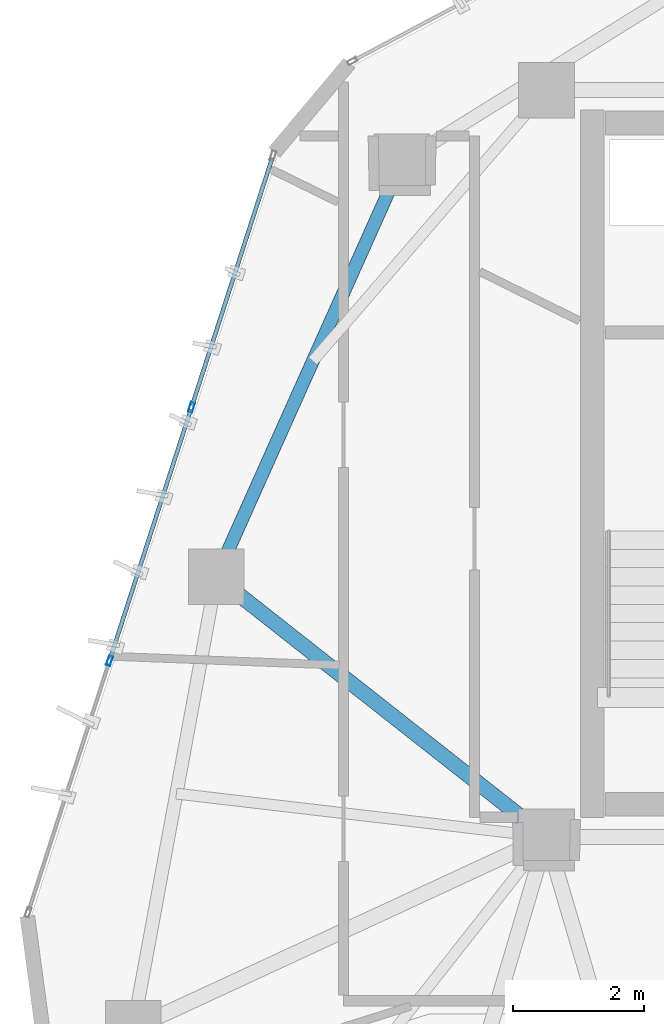
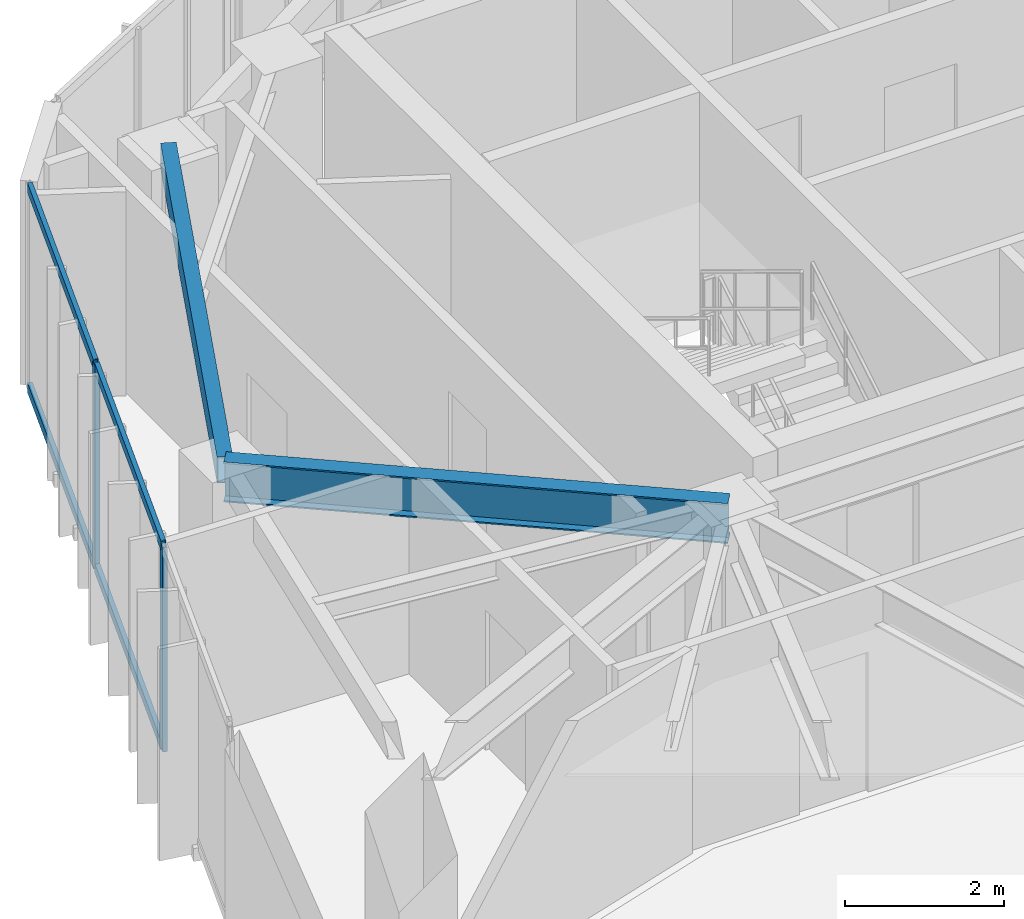
# One storey, part 8 of 20: 6 members, 2 beams, 1 element without a shape of its own.
"""IFC4 building model written with IfcOpenShell, lengths in metres."""

from ifc_helpers import new_model, si_unit, direction, frame, origin, origin_2d, place, context, subcontext, project, spatial, hollow_rectangle, i_section, extrude, source, transform, mapped, material, layer, layer_set, material_profile, profile_set, type_object, type_shapes, element, aggregate, save


model = new_model("IFC4")

# Units and contexts
model_context = context("Model", 3, precision=1e-05, world=origin(), true_north=direction((0.0, 1.0)))
body_context = subcontext(model_context, "Body", "Model", "MODEL_VIEW")
ifc_project = project(units=[si_unit("LENGTHUNIT", "METRE"), si_unit("AREAUNIT", "SQUARE_METRE"), si_unit("VOLUMEUNIT", "CUBIC_METRE"), si_unit("PLANEANGLEUNIT", "RADIAN"), si_unit("MASSUNIT", "GRAM", prefix="KILO")], contexts=[model_context])

# Site, building, storey
site_placement = place(None, origin())
site = spatial("IfcSite", under=ifc_project, at=site_placement, CompositionType="ELEMENT")
building_placement = place(site_placement, origin())
building = spatial("IfcBuilding", under=site, at=building_placement, Name="Talar Marvaseh", CompositionType="ELEMENT")
storey_placement = place(building_placement, frame((0.0, 0.0, 261.199951171875)))
storey = spatial("IfcBuildingStorey", under=building, at=storey_placement, Name="L69", CompositionType="ELEMENT", Elevation=261.199951171875)

# Beams
ifc_material_1 = material(Name="Steel S355", Category="steel")
ifc_material_profile_1 = material_profile(ifc_material_1, hollow_rectangle(XDim=0.199951171875, YDim=0.39990234375, WallThickness=0.013916015625, at=origin_2d()), Name="RHS400x200x14")
ifc_profile_set_1 = profile_set([ifc_material_profile_1], Name="Steel S355")
beam_type_1 = type_object("IfcBeamType", Name="Zone 3 Perimeter Spandrel Beam RHS400x200x14", PredefinedType="SPANDREL", material=ifc_profile_set_1)
beam_1_placement = place(storey_placement, frame((13.657958984375, 29.469970703125, 2.93994140625), z_axis=(0.408486346803, 0.912764429892, 0.0), x_axis=(-0.912764429892, 0.408486346803, 0.0)))
element("IfcBeam", 1, at=beam_1_placement, inside=storey, type_object=beam_type_1, Name="L69 Zone 3 Perimeter Spandrel Beam RHS400x200x14", PredefinedType="SPANDREL", context=body_context, shape_type="SweptSolid", body=[
    extrude(hollow_rectangle(XDim=0.199951171875, YDim=0.39990234375, WallThickness=0.013916015625, at=origin_2d()), origin(), (0.0, 0.0, 1.0), 6.942626953125),
])
ifc_material_profile_2 = material_profile(ifc_material_1, i_section(OverallWidth=0.22998046875, OverallDepth=0.616943359375, WebThickness=0.01318359375, FlangeThickness=0.022216796875, at=origin_2d()), Name="W610x140")
ifc_profile_set_2 = profile_set([ifc_material_profile_2], Name="Steel S355")
beam_type_2 = type_object("IfcBeamType", Name="Zone 4 Radial Floor Girder W610x140", PredefinedType="BEAM", material=ifc_profile_set_2)
beam_2_placement = place(storey_placement, frame((13.657958984375, 29.469970703125, 2.83154296875), z_axis=(0.785681617372, -0.618631066245, 0.0), x_axis=(0.618631066245, 0.785681617372, 0.0)))
element("IfcBeam", 2, at=beam_2_placement, inside=storey, type_object=beam_type_2, Name="L69 Zone 4 Radial Floor Girder W610x140", PredefinedType="BEAM", context=body_context, shape_type="SweptSolid", body=[
    extrude(i_section(OverallWidth=0.22998046875, OverallDepth=0.616943359375, WebThickness=0.01318359375, FlangeThickness=0.022216796875, at=origin_2d()), origin(), (0.0, 0.0, 1.0), 6.417236328125),
])

# Curtain wall, members
ifc_material_2 = material(Name="Architectural Aluminium", Category="aluminium")
ifc_layer = layer(ifc_material_2, 0.179931640625)
ifc_layer_set = layer_set([ifc_layer], Name="Architectural Aluminium")
curtain_wall_type = type_object("IfcCurtainWallType", Name="Unitised High-Wind Sky Curtain Wall Z4", PredefinedType="NOTDEFINED", material=ifc_layer_set)
curtain_wall_placement = place(storey_placement, origin())
curtain_wall = element("IfcCurtainWall", 3, at=curtain_wall_placement, inside=storey, type_object=curtain_wall_type, Name="L69 Unitised High-Wind Sky Curtain Wall Z4", PredefinedType="NOTDEFINED")
ifc_material_profile_3 = material_profile(ifc_material_2, hollow_rectangle(XDim=0.06494140625, YDim=0.14990234375, WallThickness=0.00390625, at=origin_2d()), Name="RHS150x65x4")
ifc_profile_set_3 = profile_set([ifc_material_profile_3], Name="Architectural Aluminium")
member_type_1 = type_object("IfcMemberType", Name="Unitised Curtain Wall Slim Transom RHS150x65x4", PredefinedType="USERDEFINED", material=ifc_profile_set_3)
shared_shape_1 = source(origin(), body_context, "Body", "SweptSolid", [
    extrude(hollow_rectangle(XDim=0.06494140625, YDim=0.14990234375, WallThickness=0.00390625, at=origin_2d()), origin(), (0.0, 0.0, 1.0), 3.97119140625),
])
member_1_placement = place(storey_placement, frame((13.291015625, 32.08984375, 0.032470703125), z_axis=(0.307879210771, 0.951425452453, 0.0), x_axis=(-0.951425452453, 0.307879210771, 0.0)))
member_1 = element("IfcMember", 4, at=member_1_placement, type_object=member_type_1, Name="CW-Z4 transom 3.1", ObjectType="TRANSOM", PredefinedType="USERDEFINED", context=body_context, shape_type="MappedRepresentation", body=[
    mapped(shared_shape_1, transform((0.0, 0.0, 0.0), x_axis=(1.0, 0.0, 0.0), y_axis=(0.0, 1.0, 0.0), z_axis=(0.0, 0.0, 1.0), scale=1.0)),
])
member_2_placement = place(storey_placement, frame((13.291015625, 32.08984375, 3.107666015625), z_axis=(0.307879210771, 0.951425452453, 0.0), x_axis=(-0.951425452453, 0.307879210771, 0.0)))
member_2 = element("IfcMember", 5, at=member_2_placement, type_object=member_type_1, Name="CW-Z4 transom 3.2", ObjectType="TRANSOM", PredefinedType="USERDEFINED", context=body_context, shape_type="MappedRepresentation", body=[
    mapped(shared_shape_1, transform((0.0, 0.0, 0.0), x_axis=(1.0, 0.0, 0.0), y_axis=(0.0, 1.0, 0.0), z_axis=(0.0, 0.0, 1.0), scale=1.0)),
])
shared_shape_2 = source(origin(), body_context, "Body", "SweptSolid", [
    extrude(hollow_rectangle(XDim=0.06494140625, YDim=0.14990234375, WallThickness=0.00390625, at=origin_2d()), origin(), (0.0, 0.0, 1.0), 4.003662109375),
])
type_shapes(member_type_1, [shared_shape_1, shared_shape_2])
member_3_placement = place(storey_placement, frame((12.0380859375, 28.21875, 0.032470703125), z_axis=(0.307946921583, 0.951403538719, 0.0), x_axis=(-0.951403538719, 0.307946921583, 0.0)))
member_3 = element("IfcMember", 6, at=member_3_placement, type_object=member_type_1, Name="CW-Z4 transom 2.1", ObjectType="TRANSOM", PredefinedType="USERDEFINED", context=body_context, shape_type="MappedRepresentation", body=[
    mapped(shared_shape_2, transform((0.0, 0.0, 0.0), x_axis=(1.0, 0.0, 0.0), y_axis=(0.0, 1.0, 0.0), z_axis=(0.0, 0.0, 1.0), scale=1.0)),
])
member_4_placement = place(storey_placement, frame((12.0380859375, 28.21875, 3.107666015625), z_axis=(0.307946921583, 0.951403538719, 0.0), x_axis=(-0.951403538719, 0.307946921583, 0.0)))
member_4 = element("IfcMember", 7, at=member_4_placement, type_object=member_type_1, Name="CW-Z4 transom 2.2", ObjectType="TRANSOM", PredefinedType="USERDEFINED", context=body_context, shape_type="MappedRepresentation", body=[
    mapped(shared_shape_2, transform((0.0, 0.0, 0.0), x_axis=(1.0, 0.0, 0.0), y_axis=(0.0, 1.0, 0.0), z_axis=(0.0, 0.0, 1.0), scale=1.0)),
])
ifc_material_profile_4 = material_profile(ifc_material_2, hollow_rectangle(XDim=0.06494140625, YDim=0.14990234375, WallThickness=0.00390625, at=origin_2d()), Name="RHS150x65x4")
ifc_profile_set_4 = profile_set([ifc_material_profile_4], Name="Architectural Aluminium")
member_type_2 = type_object("IfcMemberType", Name="Unitised Curtain Wall Slim Mullion RHS150x65x4", PredefinedType="MULLION", material=ifc_profile_set_4)
shared_shape_3 = source(origin(), body_context, "Body", "SweptSolid", [
    extrude(hollow_rectangle(XDim=0.06494140625, YDim=0.14990234375, WallThickness=0.00390625, at=origin_2d()), origin(), (0.0, 0.0, 1.0), 3.14013671875),
])
type_shapes(member_type_2, [shared_shape_3])
member_5_placement = place(storey_placement, frame((12.0283203125, 28.187744140625, 0.0), z_axis=(0.0, 0.0, 1.0), x_axis=(-0.951422427346, 0.307888558966, 0.0)))
member_5 = element("IfcMember", 8, at=member_5_placement, type_object=member_type_2, Name="CW-Z4 mullion 2", PredefinedType="MULLION", context=body_context, shape_type="MappedRepresentation", body=[
    mapped(shared_shape_3, transform((0.0, 0.0, 0.0), x_axis=(1.0, 0.0, 0.0), y_axis=(0.0, 1.0, 0.0), z_axis=(0.0, 0.0, 1.0), scale=1.0)),
])
member_6_placement = place(storey_placement, frame((13.281005859375, 32.058837890625, 0.0), z_axis=(0.0, 0.0, 1.0), x_axis=(-0.951422427346, 0.307888558966, 0.0)))
member_6 = element("IfcMember", 9, at=member_6_placement, type_object=member_type_2, Name="CW-Z4 mullion 3", PredefinedType="MULLION", context=body_context, shape_type="MappedRepresentation", body=[
    mapped(shared_shape_3, transform((0.0, 0.0, 0.0), x_axis=(1.0, 0.0, 0.0), y_axis=(0.0, 1.0, 0.0), z_axis=(0.0, 0.0, 1.0), scale=1.0)),
])
aggregate(curtain_wall, [member_5, member_6, member_3, member_4, member_1, member_2])

save(model, "model.ifc")
